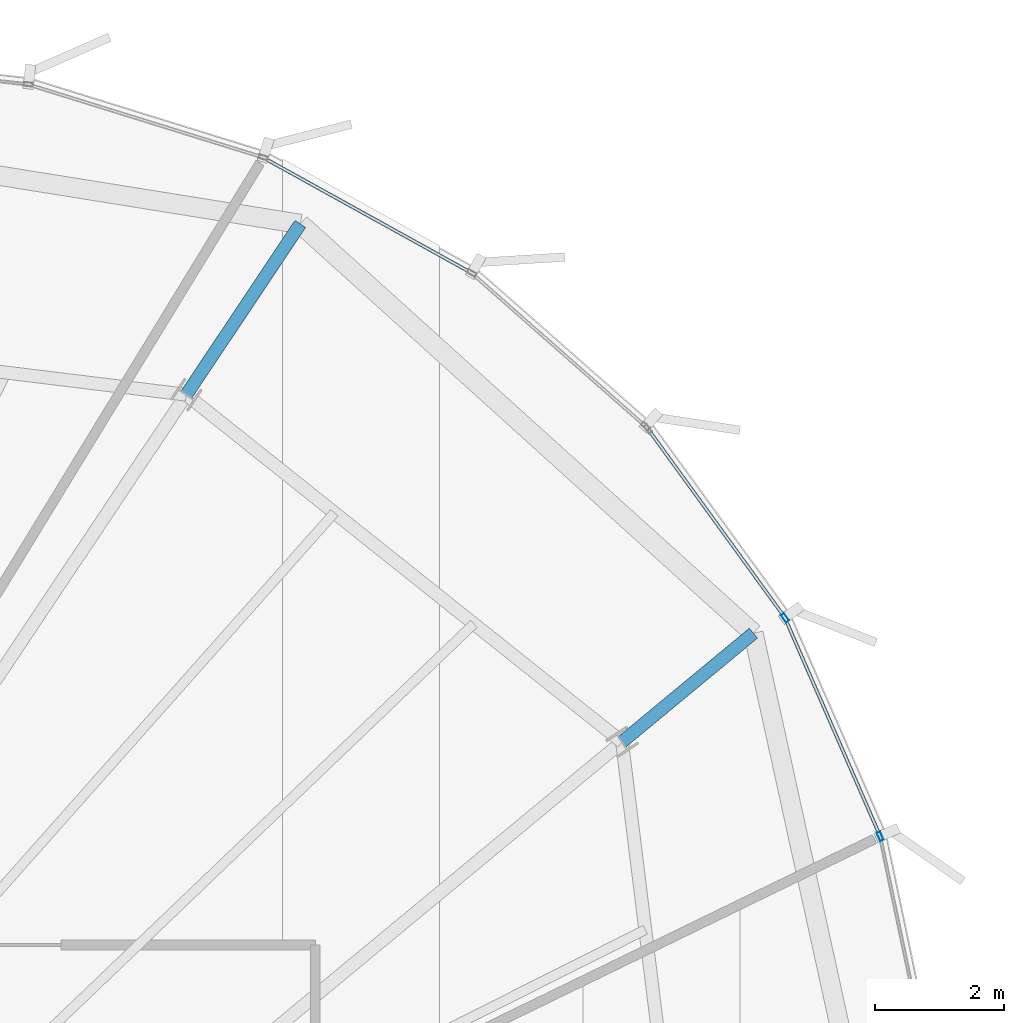
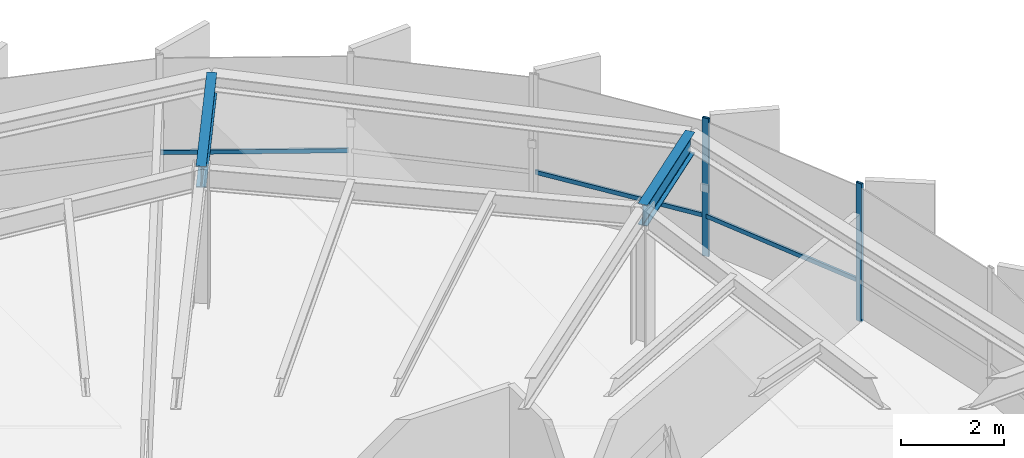
# One storey, part 26 of 35: 5 members, 2 beams, 2 elements without a shape of their own.
"""IFC4 building model written with IfcOpenShell, lengths in metres."""

from ifc_helpers import new_model, si_unit, direction, frame, origin, origin_2d, place, context, subcontext, project, spatial, hollow_rectangle, i_section, extrude, source, transform, mapped, material, layer, layer_set, material_profile, profile_set, type_object, element, aggregate, save


model = new_model("IFC4")

# Units and contexts
model_context = context("Model", 3, precision=1e-05, world=origin(), true_north=direction((0.0, 1.0)))
body_context = subcontext(model_context, "Body", "Model", "MODEL_VIEW")
ifc_project = project(units=[si_unit("LENGTHUNIT", "METRE"), si_unit("AREAUNIT", "SQUARE_METRE"), si_unit("VOLUMEUNIT", "CUBIC_METRE"), si_unit("PLANEANGLEUNIT", "RADIAN"), si_unit("MASSUNIT", "GRAM", prefix="KILO"), si_unit("THERMODYNAMICTEMPERATUREUNIT", "KELVIN")], contexts=[model_context])

# Site, building, storey
site_placement = place(None, origin())
site = spatial("IfcSite", under=ifc_project, at=site_placement, CompositionType="ELEMENT")
building_placement = place(site_placement, origin())
building = spatial("IfcBuilding", under=site, at=building_placement, Name="Kethvar Cultural Tower", CompositionType="ELEMENT")
storey_placement = place(building_placement, frame((0.0, 0.0, 204.39990234375)))
storey = spatial("IfcBuildingStorey", under=building, at=storey_placement, Name="L53", CompositionType="ELEMENT", Elevation=204.39990234375)

# Beams
ifc_material_1 = material(Name="Steel S355J2", Category="steel")
ifc_material_profile_1 = material_profile(ifc_material_1, i_section(OverallWidth=0.199951171875, OverallDepth=0.5, WebThickness=0.01025390625, FlangeThickness=0.01611328125, FilletRadius=0.02099609375, at=origin_2d()), Name="Steel S355J2 — IPE500")
ifc_profile_set_1 = profile_set([ifc_material_profile_1], Name="Steel S355J2 — IPE500")
beam_type = type_object("IfcBeamType", Name="BM-IPE500", PredefinedType="BEAM", material=ifc_profile_set_1)
shared_shape_1 = source(origin(), body_context, "Body", "SweptSolid", [
    extrude(i_section(OverallWidth=0.199951171875, OverallDepth=0.5, WebThickness=0.01025390625, FlangeThickness=0.01611328125, FilletRadius=0.02099609375, at=origin_2d()), origin(), (0.0, 0.0, 1.0), 2.643798828125),
])
beam_1_placement = place(storey_placement, frame((65.504150390625, 40.297607421875, 3.008056640625), z_axis=(0.770336447965, 0.637637637641, 0.0), x_axis=(-0.637637637641, 0.770336447965, 0.0)))
element("IfcBeam", 1, at=beam_1_placement, inside=storey, type_object=beam_type, Name="L53 Perimeter Cantilever Beam RC-02", PredefinedType="BEAM", context=body_context, shape_type="MappedRepresentation", body=[
    mapped(shared_shape_1, transform((0.0, 0.0, 0.0), scale=1.0)),
])
shared_shape_2 = source(origin(), body_context, "Body", "SweptSolid", [
    extrude(i_section(OverallWidth=0.199951171875, OverallDepth=0.5, WebThickness=0.01025390625, FlangeThickness=0.01611328125, FilletRadius=0.02099609375, at=origin_2d()), origin(), (0.0, 0.0, 1.0), 3.183349609375),
])
beam_2_placement = place(storey_placement, frame((58.748046875, 45.681396484375, 3.008056640625), z_axis=(0.555549407127, 0.831483527342, 0.0), x_axis=(-0.831483527342, 0.555549407127, 0.0)))
element("IfcBeam", 2, at=beam_2_placement, inside=storey, type_object=beam_type, Name="L53 Perimeter Cantilever Beam RC-03", PredefinedType="BEAM", context=body_context, shape_type="MappedRepresentation", body=[
    mapped(shared_shape_2, transform((0.0, 0.0, 0.0), scale=1.0)),
])

# Curtain wall, members
ifc_material_2 = material(Name="Aluminium 6063-T6", Category="aluminium")
ifc_layer = layer(ifc_material_2, 0.179931640625, Name="Aluminium 6063-T6", Category="aluminium")
ifc_layer_set = layer_set([ifc_layer], Name="Aluminium 6063-T6 (180 mm)")
curtain_wall_type = type_object("IfcCurtainWallType", Name="CW-SYS-04-Z34", PredefinedType="NOTDEFINED", material=ifc_layer_set)
curtain_wall_1_placement = place(storey_placement, origin())
curtain_wall_1 = element("IfcCurtainWall", 3, at=curtain_wall_1_placement, inside=storey, type_object=curtain_wall_type, Name="L53 Curtain Wall Run 06", PredefinedType="NOTDEFINED")
ifc_material_profile_2 = material_profile(ifc_material_2, hollow_rectangle(XDim=0.06005859375, YDim=0.139892578125, WallThickness=0.0048828125, at=origin_2d()), Name="Aluminium 6063-T6 — RHS140x60x5")
ifc_profile_set_2 = profile_set([ifc_material_profile_2], Name="Aluminium 6063-T6 — RHS140x60x5")
member_type_1 = type_object("IfcMemberType", Name="CW-SYS-04-Z34-MUL", PredefinedType="MULLION", material=ifc_profile_set_2)
shared_shape_3 = source(origin(), body_context, "Body", "SweptSolid", [
    extrude(hollow_rectangle(XDim=0.06005859375, YDim=0.139892578125, WallThickness=0.0048828125, at=origin_2d()), origin(), (0.0, 0.0, 1.0), 3.260009765625),
])
member_1_placement = place(storey_placement, frame((69.507080078125, 38.834716796875, 0.0), z_axis=(0.0, 0.0, 1.0), x_axis=(-0.916530346976, -0.399965152323, 0.0)))
member_1 = element("IfcMember", 4, at=member_1_placement, type_object=member_type_1, Name="CW-L53-R06 Mullion 5", PredefinedType="MULLION", context=body_context, shape_type="MappedRepresentation", body=[
    mapped(shared_shape_3, transform((0.0, 0.0, 0.0), scale=1.0)),
])
member_2_placement = place(storey_placement, frame((68.03125, 42.22314453125, 0.0), z_axis=(0.0, 0.0, 1.0), x_axis=(-0.809283639555, -0.58741807152, 0.0)))
member_2 = element("IfcMember", 5, at=member_2_placement, type_object=member_type_1, Name="CW-L53-R06 Mullion 6", PredefinedType="MULLION", context=body_context, shape_type="MappedRepresentation", body=[
    mapped(shared_shape_3, transform((0.0, 0.0, 0.0), scale=1.0)),
])

# Curtain wall, member
curtain_wall_2_placement = place(storey_placement, origin())
curtain_wall_2 = element("IfcCurtainWall", 6, at=curtain_wall_2_placement, inside=storey, type_object=curtain_wall_type, Name="L53 Curtain Wall Run 01", PredefinedType="NOTDEFINED")
ifc_material_profile_3 = material_profile(ifc_material_2, hollow_rectangle(XDim=0.050048828125, YDim=0.10009765625, WallThickness=0.00390625, at=origin_2d()), Name="Aluminium 6063-T6 — RHS100x50x4")
ifc_profile_set_3 = profile_set([ifc_material_profile_3], Name="Aluminium 6063-T6 — RHS100x50x4")
member_type_2 = type_object("IfcMemberType", Name="CW-SYS-04-Z34-TRN", PredefinedType="USERDEFINED", material=ifc_profile_set_3)
shared_shape_4 = source(origin(), body_context, "Body", "SweptSolid", [
    extrude(hollow_rectangle(XDim=0.050048828125, YDim=0.10009765625, WallThickness=0.00390625, at=origin_2d()), origin(), (0.0, 0.0, 1.0), 3.63330078125),
])
member_3_placement = place(storey_placement, frame((63.138671875, 47.5869140625, 0.9501953125), z_axis=(-0.874834730461, 0.484421504869, 0.0), x_axis=(-0.484421504869, -0.874834730461, 0.0)))
member_3 = element("IfcMember", 7, at=member_3_placement, type_object=member_type_2, Name="CW-L53-R01 Transom 2", ObjectType="TRANSOM", PredefinedType="USERDEFINED", context=body_context, shape_type="MappedRepresentation", body=[
    mapped(shared_shape_4, transform((0.0, 0.0, 0.0), scale=1.0)),
])
aggregate(curtain_wall_2, [member_3])

# Member
shared_shape_5 = source(origin(), body_context, "Body", "SweptSolid", [
    extrude(hollow_rectangle(XDim=0.050048828125, YDim=0.10009765625, WallThickness=0.00390625, at=origin_2d()), origin(), (0.0, 0.0, 1.0), 3.633056640625),
])
member_4_placement = place(storey_placement, frame((69.48974609375, 38.874267578125, 0.9501953125), z_axis=(-0.399969088702, 0.916528629167, 0.0), x_axis=(-0.916528629167, -0.399969088702, 0.0)))
member_4 = element("IfcMember", 8, at=member_4_placement, type_object=member_type_2, Name="CW-L53-R06 Transom 5", ObjectType="TRANSOM", PredefinedType="USERDEFINED", context=body_context, shape_type="MappedRepresentation", body=[
    mapped(shared_shape_5, transform((0.0, 0.0, 0.0), scale=1.0)),
])

shared_shape_6 = source(origin(), body_context, "Body", "SweptSolid", [
    extrude(hollow_rectangle(XDim=0.050048828125, YDim=0.10009765625, WallThickness=0.00390625, at=origin_2d()), origin(), (0.0, 0.0, 1.0), 3.569091796875),
])
member_5_placement = place(storey_placement, frame((68.005859375, 42.258056640625, 0.9501953125), z_axis=(-0.587439366693, 0.809268182038, 0.0), x_axis=(-0.809268182038, -0.587439366693, 0.0)))
member_5 = element("IfcMember", 9, at=member_5_placement, type_object=member_type_2, Name="CW-L53-R06 Transom 6", ObjectType="TRANSOM", PredefinedType="USERDEFINED", context=body_context, shape_type="MappedRepresentation", body=[
    mapped(shared_shape_6, transform((0.0, 0.0, 0.0), scale=1.0)),
])

aggregate(curtain_wall_1, [member_1, member_2, member_4, member_5])

save(model, "model.ifc")
